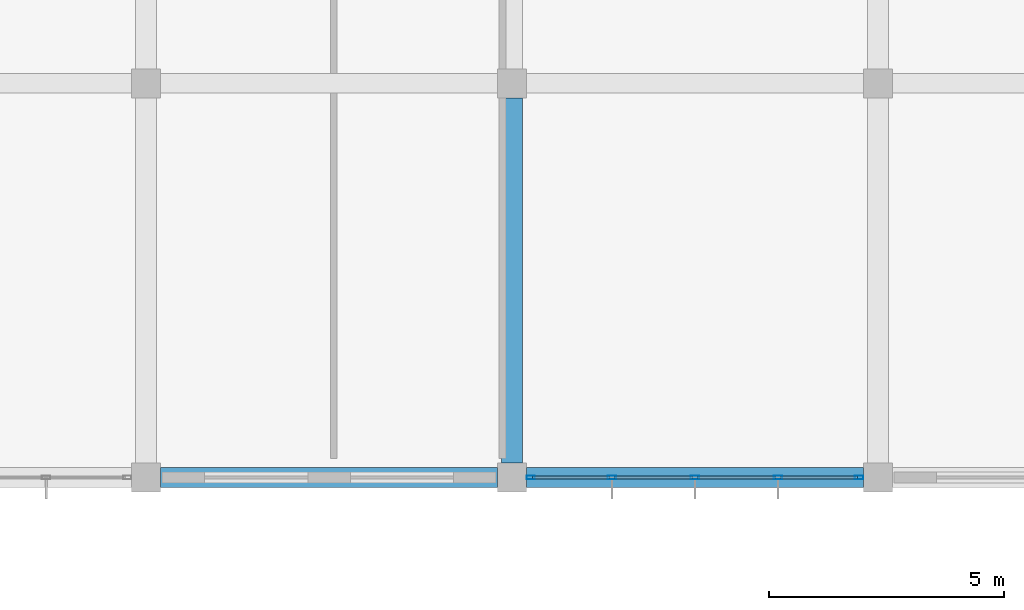
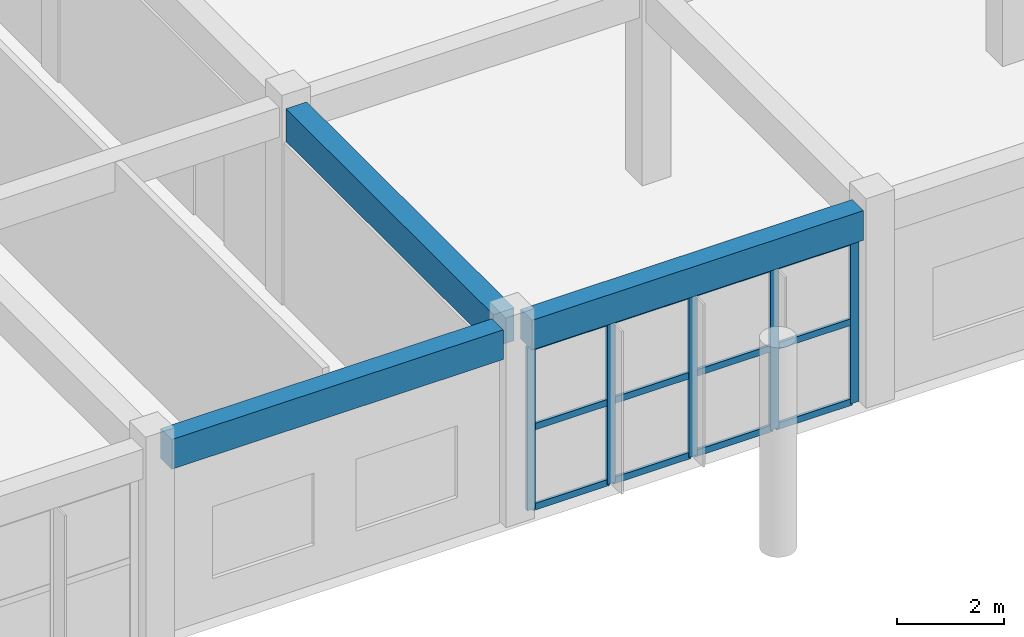
# One storey, part 87 of 167: 17 members, 3 beams, 1 element without a shape of its own.
"""IFC4 building model written with IfcOpenShell, lengths in metres."""

from ifc_helpers import new_model, si_unit, direction, frame, origin, origin_2d, place, context, subcontext, project, spatial, rectangle, hollow_rectangle, extrude, material, layer, layer_set, material_profile, profile_set, type_object, element, aggregate, save


model = new_model("IFC4")

# Units and contexts
model_context = context("Model", 3, precision=1e-05, world=origin(), true_north=direction((0.0, 1.0)))
body_context = subcontext(model_context, "Body", "Model", "MODEL_VIEW")
ifc_project = project(units=[si_unit("LENGTHUNIT", "METRE"), si_unit("AREAUNIT", "SQUARE_METRE"), si_unit("VOLUMEUNIT", "CUBIC_METRE"), si_unit("PLANEANGLEUNIT", "RADIAN"), si_unit("MASSUNIT", "GRAM", prefix="KILO")], contexts=[model_context])

# Site, building, storey
site_placement = place(None, origin())
site = spatial("IfcSite", under=ifc_project, at=site_placement, CompositionType="ELEMENT")
building_placement = place(site_placement, origin())
building = spatial("IfcBuilding", under=site, at=building_placement, Name="Zizhar Promenade General Hospital", CompositionType="ELEMENT")
storey_placement = place(building_placement, frame((0.0, 0.0, 9.60009765625)))
storey = spatial("IfcBuildingStorey", under=building, at=storey_placement, Name="L02", CompositionType="ELEMENT", Elevation=9.60009765625)

# Beams
ifc_material_1 = material(Name="Concrete C35/45", Category="concrete")
ifc_material_profile_1 = material_profile(ifc_material_1, rectangle(XDim=0.419921875, YDim=0.679931640625, at=origin_2d()))
ifc_profile_set_1 = profile_set([ifc_material_profile_1], Name="Concrete C35/45")
beam_type_1 = type_object("IfcBeamType", Name="BM-RC-420x680", PredefinedType="JOIST", material=ifc_profile_set_1)
for number, where, z_axis, x_axis, name in (
    (1, (140.7099609375, 42.0, 4.1298828125), (1.0, 0.0, 0.0), (0.0, 1.0, 0.0), "Grid Beam X L02 (18-5)"),
    (2, (148.510009765625, 42.0, 4.1298828125), (1.0, 0.0, 0.0), (0.0, 1.0, 0.0), "Grid Beam X L02 (19-5)"),
):
    element("IfcBeam", number, at=place(storey_placement, frame(where, z_axis=z_axis, x_axis=x_axis)), inside=storey, type_object=beam_type_1, Name=name, PredefinedType="JOIST", context=body_context, shape_type="SweptSolid", body=[
        extrude(rectangle(XDim=0.419921875, YDim=0.679931640625, at=origin_2d()), origin(), (0.0, 0.0, 1.0), 7.179931640625),
    ])
ifc_material_2 = material(Name="Concrete C35/45", Category="concrete")
ifc_material_profile_2 = material_profile(ifc_material_2, rectangle(XDim=0.449951171875, YDim=0.75, at=origin_2d()))
ifc_profile_set_2 = profile_set([ifc_material_profile_2], Name="Concrete C35/45")
beam_type_2 = type_object("IfcBeamType", Name="BM-RC-450x750", PredefinedType="BEAM", material=ifc_profile_set_2)
beam_placement = place(storey_placement, frame((148.199951171875, 42.31005859375, 4.094970703125), z_axis=(0.0, 1.0, 0.0), x_axis=(-1.0, 0.0, 0.0)))
element("IfcBeam", 3, at=beam_placement, inside=storey, type_object=beam_type_2, Name="Grid Beam Y L02 (19-5)", PredefinedType="BEAM", context=body_context, shape_type="SweptSolid", body=[
    extrude(rectangle(XDim=0.449951171875, YDim=0.75, at=origin_2d()), origin(), (0.0, 0.0, 1.0), 7.780029296875),
])

# Curtain wall, members
ifc_material_3 = material(Name="Anodised aluminium 6063-T6 and low-E glass", Category="aluminium")
ifc_layer = layer(ifc_material_3, 0.159912109375)
ifc_layer_set = layer_set([ifc_layer], Name="Anodised aluminium 6063-T6 and low-E glass")
curtain_wall_type = type_object("IfcCurtainWallType", Name="CW-CLN-EXT", PredefinedType="NOTDEFINED", material=ifc_layer_set)
curtain_wall_placement = place(storey_placement, origin())
curtain_wall = element("IfcCurtainWall", 4, at=curtain_wall_placement, inside=storey, type_object=curtain_wall_type, Name="Outpatient Forecourt Curtain Wall L02-19", PredefinedType="NOTDEFINED")
ifc_material_4 = material(Name="Anodised aluminium 6063-T6", Category="aluminium")
ifc_material_profile_3 = material_profile(ifc_material_4, hollow_rectangle(XDim=0.080078125, YDim=0.179931640625, WallThickness=0.0048828125, at=origin_2d()))
ifc_profile_set_3 = profile_set([ifc_material_profile_3], Name="Anodised aluminium 6063-T6")
member_type_1 = type_object("IfcMemberType", Name="CWM-ALU-180x80", PredefinedType="MULLION", material=ifc_profile_set_3)
member_1_placement = place(storey_placement, frame((155.60009765625, 42.0, 0.0), z_axis=(0.0, 0.0, 1.0), x_axis=(0.0, -1.0, 0.0)))
member_1 = element("IfcMember", 5, at=member_1_placement, type_object=member_type_1, Name="CW-09 mullion 1", PredefinedType="MULLION", context=body_context, shape_type="SweptSolid", body=[
    extrude(hollow_rectangle(XDim=0.080078125, YDim=0.179931640625, WallThickness=0.0048828125, at=origin_2d()), origin(), (0.0, 0.0, 1.0), 3.72998046875),
])
member_2_placement = place(storey_placement, frame((153.8701171875, 42.0, 0.0), z_axis=(0.0, 0.0, 1.0), x_axis=(0.0, -1.0, 0.0)))
member_2 = element("IfcMember", 6, at=member_2_placement, type_object=member_type_1, Name="CW-09 mullion 2", PredefinedType="MULLION", context=body_context, shape_type="SweptSolid", body=[
    extrude(hollow_rectangle(XDim=0.080078125, YDim=0.179931640625, WallThickness=0.0048828125, at=origin_2d()), origin(), (0.0, 0.0, 1.0), 3.72998046875),
])
member_3_placement = place(storey_placement, frame((152.10009765625, 42.0, 0.0), z_axis=(0.0, 0.0, 1.0), x_axis=(0.0, -1.0, 0.0)))
member_3 = element("IfcMember", 7, at=member_3_placement, type_object=member_type_1, Name="CW-09 mullion 3", PredefinedType="MULLION", context=body_context, shape_type="SweptSolid", body=[
    extrude(hollow_rectangle(XDim=0.080078125, YDim=0.179931640625, WallThickness=0.0048828125, at=origin_2d()), origin(), (0.0, 0.0, 1.0), 3.72998046875),
])
member_4_placement = place(storey_placement, frame((150.330078125, 42.0, 0.0), z_axis=(0.0, 0.0, 1.0), x_axis=(0.0, -1.0, 0.0)))
member_4 = element("IfcMember", 8, at=member_4_placement, type_object=member_type_1, Name="CW-09 mullion 4", PredefinedType="MULLION", context=body_context, shape_type="SweptSolid", body=[
    extrude(hollow_rectangle(XDim=0.080078125, YDim=0.179931640625, WallThickness=0.0048828125, at=origin_2d()), origin(), (0.0, 0.0, 1.0), 3.72998046875),
])
member_5_placement = place(storey_placement, frame((148.60009765625, 42.0, 0.0), z_axis=(0.0, 0.0, 1.0), x_axis=(0.0, -1.0, 0.0)))
member_5 = element("IfcMember", 9, at=member_5_placement, type_object=member_type_1, Name="CW-09 mullion 5", PredefinedType="MULLION", context=body_context, shape_type="SweptSolid", body=[
    extrude(hollow_rectangle(XDim=0.080078125, YDim=0.179931640625, WallThickness=0.0048828125, at=origin_2d()), origin(), (0.0, 0.0, 1.0), 3.72998046875),
])
ifc_material_5 = material(Name="Anodised aluminium 6063-T6", Category="aluminium")
ifc_material_profile_4 = material_profile(ifc_material_5, hollow_rectangle(XDim=0.06005859375, YDim=0.14990234375, WallThickness=0.00390625, at=origin_2d()))
ifc_profile_set_4 = profile_set([ifc_material_profile_4], Name="Anodised aluminium 6063-T6")
member_type_2 = type_object("IfcMemberType", Name="CWT-ALU-150x60", PredefinedType="USERDEFINED", material=ifc_profile_set_4)
member_6_placement = place(storey_placement, frame((155.56005859375, 42.0, 0.02978515625), z_axis=(-1.0, 0.0, 0.0), x_axis=(0.0, -1.0, 0.0)))
member_6 = element("IfcMember", 10, at=member_6_placement, type_object=member_type_2, Name="CW-09 transom 1.1", ObjectType="TRANSOM", PredefinedType="USERDEFINED", context=body_context, shape_type="SweptSolid", body=[
    extrude(hollow_rectangle(XDim=0.06005859375, YDim=0.14990234375, WallThickness=0.00390625, at=origin_2d()), origin(), (0.0, 0.0, 1.0), 1.650146484375),
])
member_7_placement = place(storey_placement, frame((155.56005859375, 42.0, 1.864990234375), z_axis=(-1.0, 0.0, 0.0), x_axis=(0.0, -1.0, 0.0)))
member_7 = element("IfcMember", 11, at=member_7_placement, type_object=member_type_2, Name="CW-09 transom 1.2", ObjectType="TRANSOM", PredefinedType="USERDEFINED", context=body_context, shape_type="SweptSolid", body=[
    extrude(hollow_rectangle(XDim=0.06005859375, YDim=0.14990234375, WallThickness=0.00390625, at=origin_2d()), origin(), (0.0, 0.0, 1.0), 1.650146484375),
])
member_8_placement = place(storey_placement, frame((155.56005859375, 42.0, 3.699951171875), z_axis=(-1.0, 0.0, 0.0), x_axis=(0.0, -1.0, 0.0)))
member_8 = element("IfcMember", 12, at=member_8_placement, type_object=member_type_2, Name="CW-09 transom 1.3", ObjectType="TRANSOM", PredefinedType="USERDEFINED", context=body_context, shape_type="SweptSolid", body=[
    extrude(hollow_rectangle(XDim=0.06005859375, YDim=0.14990234375, WallThickness=0.00390625, at=origin_2d()), origin(), (0.0, 0.0, 1.0), 1.650146484375),
])
member_9_placement = place(storey_placement, frame((153.830078125, 42.0, 0.02978515625), z_axis=(-1.0, 0.0, 0.0), x_axis=(0.0, -1.0, 0.0)))
member_9 = element("IfcMember", 13, at=member_9_placement, type_object=member_type_2, Name="CW-09 transom 2.1", ObjectType="TRANSOM", PredefinedType="USERDEFINED", context=body_context, shape_type="SweptSolid", body=[
    extrude(hollow_rectangle(XDim=0.06005859375, YDim=0.14990234375, WallThickness=0.00390625, at=origin_2d()), origin(), (0.0, 0.0, 1.0), 1.690185546875),
])
member_10_placement = place(storey_placement, frame((153.830078125, 42.0, 1.864990234375), z_axis=(-1.0, 0.0, 0.0), x_axis=(0.0, -1.0, 0.0)))
member_10 = element("IfcMember", 14, at=member_10_placement, type_object=member_type_2, Name="CW-09 transom 2.2", ObjectType="TRANSOM", PredefinedType="USERDEFINED", context=body_context, shape_type="SweptSolid", body=[
    extrude(hollow_rectangle(XDim=0.06005859375, YDim=0.14990234375, WallThickness=0.00390625, at=origin_2d()), origin(), (0.0, 0.0, 1.0), 1.690185546875),
])
member_11_placement = place(storey_placement, frame((153.830078125, 42.0, 3.699951171875), z_axis=(-1.0, 0.0, 0.0), x_axis=(0.0, -1.0, 0.0)))
member_11 = element("IfcMember", 15, at=member_11_placement, type_object=member_type_2, Name="CW-09 transom 2.3", ObjectType="TRANSOM", PredefinedType="USERDEFINED", context=body_context, shape_type="SweptSolid", body=[
    extrude(hollow_rectangle(XDim=0.06005859375, YDim=0.14990234375, WallThickness=0.00390625, at=origin_2d()), origin(), (0.0, 0.0, 1.0), 1.690185546875),
])
member_12_placement = place(storey_placement, frame((152.06005859375, 42.0, 0.02978515625), z_axis=(-1.0, 0.0, 0.0), x_axis=(0.0, -1.0, 0.0)))
member_12 = element("IfcMember", 16, at=member_12_placement, type_object=member_type_2, Name="CW-09 transom 3.1", ObjectType="TRANSOM", PredefinedType="USERDEFINED", context=body_context, shape_type="SweptSolid", body=[
    extrude(hollow_rectangle(XDim=0.06005859375, YDim=0.14990234375, WallThickness=0.00390625, at=origin_2d()), origin(), (0.0, 0.0, 1.0), 1.68994140625),
])
member_13_placement = place(storey_placement, frame((152.06005859375, 42.0, 1.864990234375), z_axis=(-1.0, 0.0, 0.0), x_axis=(0.0, -1.0, 0.0)))
member_13 = element("IfcMember", 17, at=member_13_placement, type_object=member_type_2, Name="CW-09 transom 3.2", ObjectType="TRANSOM", PredefinedType="USERDEFINED", context=body_context, shape_type="SweptSolid", body=[
    extrude(hollow_rectangle(XDim=0.06005859375, YDim=0.14990234375, WallThickness=0.00390625, at=origin_2d()), origin(), (0.0, 0.0, 1.0), 1.68994140625),
])
member_14_placement = place(storey_placement, frame((152.06005859375, 42.0, 3.699951171875), z_axis=(-1.0, 0.0, 0.0), x_axis=(0.0, -1.0, 0.0)))
member_14 = element("IfcMember", 18, at=member_14_placement, type_object=member_type_2, Name="CW-09 transom 3.3", ObjectType="TRANSOM", PredefinedType="USERDEFINED", context=body_context, shape_type="SweptSolid", body=[
    extrude(hollow_rectangle(XDim=0.06005859375, YDim=0.14990234375, WallThickness=0.00390625, at=origin_2d()), origin(), (0.0, 0.0, 1.0), 1.68994140625),
])
member_15_placement = place(storey_placement, frame((150.2900390625, 42.0, 0.02978515625), z_axis=(-1.0, 0.0, 0.0), x_axis=(0.0, -1.0, 0.0)))
member_15 = element("IfcMember", 19, at=member_15_placement, type_object=member_type_2, Name="CW-09 transom 4.1", ObjectType="TRANSOM", PredefinedType="USERDEFINED", context=body_context, shape_type="SweptSolid", body=[
    extrude(hollow_rectangle(XDim=0.06005859375, YDim=0.14990234375, WallThickness=0.00390625, at=origin_2d()), origin(), (0.0, 0.0, 1.0), 1.650146484375),
])
member_16_placement = place(storey_placement, frame((150.2900390625, 42.0, 1.864990234375), z_axis=(-1.0, 0.0, 0.0), x_axis=(0.0, -1.0, 0.0)))
member_16 = element("IfcMember", 20, at=member_16_placement, type_object=member_type_2, Name="CW-09 transom 4.2", ObjectType="TRANSOM", PredefinedType="USERDEFINED", context=body_context, shape_type="SweptSolid", body=[
    extrude(hollow_rectangle(XDim=0.06005859375, YDim=0.14990234375, WallThickness=0.00390625, at=origin_2d()), origin(), (0.0, 0.0, 1.0), 1.650146484375),
])
member_17_placement = place(storey_placement, frame((150.2900390625, 42.0, 3.699951171875), z_axis=(-1.0, 0.0, 0.0), x_axis=(0.0, -1.0, 0.0)))
member_17 = element("IfcMember", 21, at=member_17_placement, type_object=member_type_2, Name="CW-09 transom 4.3", ObjectType="TRANSOM", PredefinedType="USERDEFINED", context=body_context, shape_type="SweptSolid", body=[
    extrude(hollow_rectangle(XDim=0.06005859375, YDim=0.14990234375, WallThickness=0.00390625, at=origin_2d()), origin(), (0.0, 0.0, 1.0), 1.650146484375),
])
aggregate(curtain_wall, [member_1, member_2, member_3, member_4, member_5, member_6, member_7, member_8, member_9, member_10, member_11, member_12, member_13, member_14, member_15, member_16, member_17])

save(model, "model.ifc")
